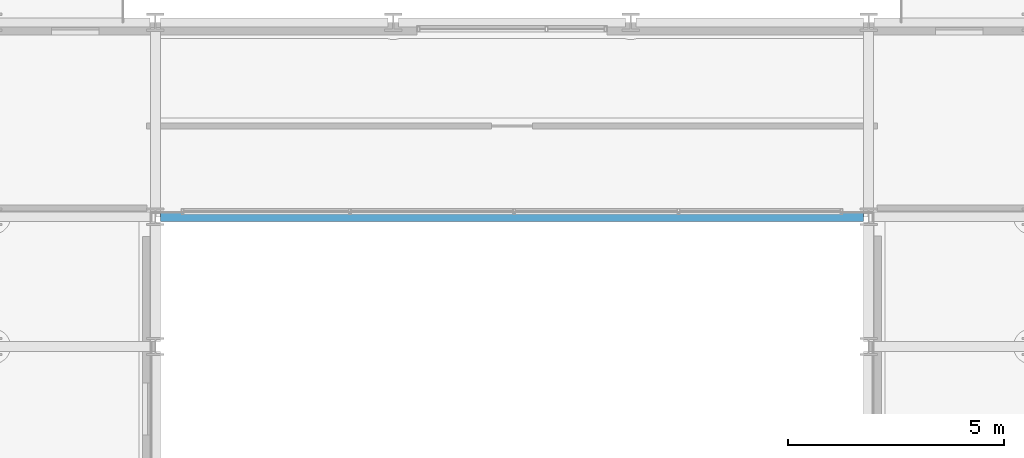
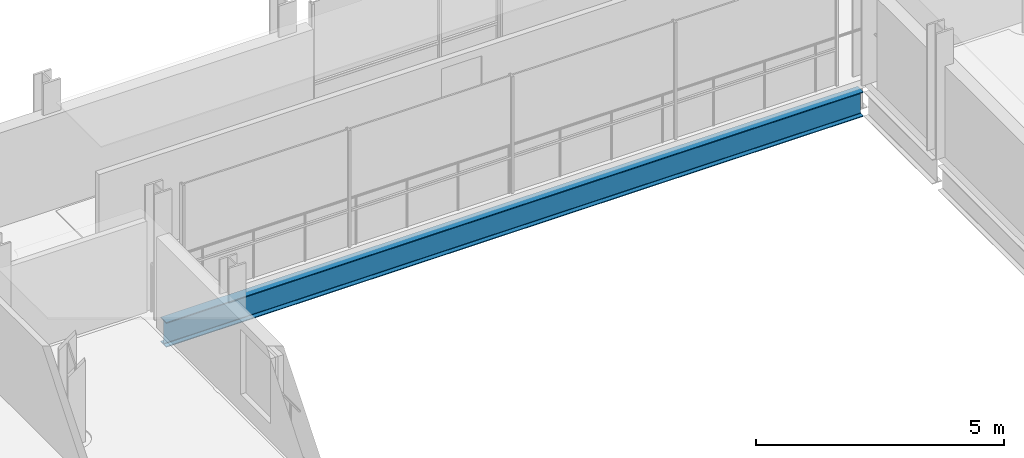
# One storey, part 12 of 41: 1 beam.
"""IFC4 building model written with IfcOpenShell, lengths in metres."""

from ifc_helpers import new_model, si_unit, direction, frame, origin, origin_2d, place, context, subcontext, project, spatial, i_section, extrude, material, material_profile, profile_set, type_object, element, save


model = new_model("IFC4")

# Units and contexts
model_context = context("Model", 3, precision=1e-05, world=origin(), true_north=direction((0.0, 1.0)))
body_context = subcontext(model_context, "Body", "Model", "MODEL_VIEW")
ifc_project = project(units=[si_unit("LENGTHUNIT", "METRE"), si_unit("AREAUNIT", "SQUARE_METRE"), si_unit("VOLUMEUNIT", "CUBIC_METRE"), si_unit("PLANEANGLEUNIT", "RADIAN"), si_unit("MASSUNIT", "GRAM", prefix="KILO")], contexts=[model_context])

# Site, building, storey
site_placement = place(None, origin())
site = spatial("IfcSite", under=ifc_project, at=site_placement, CompositionType="ELEMENT")
building_placement = place(site_placement, origin())
building = spatial("IfcBuilding", under=site, at=building_placement, Name="Brevholm Reach", CompositionType="ELEMENT")
storey_placement = place(building_placement, frame((0.0, 0.0, 144.89990234375)))
storey = spatial("IfcBuildingStorey", under=building, at=storey_placement, Name="L43", CompositionType="ELEMENT", Elevation=144.89990234375)

# Beam
ifc_material = material(Name="Structural Steel S355J2", Category="steel")
ifc_material_profile = material_profile(ifc_material, i_section(OverallWidth=0.22900390625, OverallDepth=0.6123046875, WebThickness=0.011962890625, FlangeThickness=0.01953125, FilletRadius=0.0126953125, at=origin_2d()), Name="UKB 610x229x125")
ifc_profile_set = profile_set([ifc_material_profile], Name="Structural Steel S355J2")
beam_type = type_object("IfcBeamType", Name="BM-SP610", PredefinedType="SPANDREL", material=ifc_profile_set)
beam_placement = place(storey_placement, frame((21.8701171875, 26.5, -0.526123046875), z_axis=(1.0, 0.0, 0.0), x_axis=(0.0, 1.0, 0.0)))
element("IfcBeam", 1, at=beam_placement, inside=storey, type_object=beam_type, Name="L43 SP-01 Framing Beam", PredefinedType="SPANDREL", context=body_context, shape_type="SweptSolid", body=[
    extrude(i_section(OverallWidth=0.22900390625, OverallDepth=0.6123046875, WebThickness=0.011962890625, FlangeThickness=0.01953125, FilletRadius=0.0126953125, at=origin_2d()), origin(), (0.0, 0.0, 1.0), 16.259765625),
])

save(model, "model.ifc")
